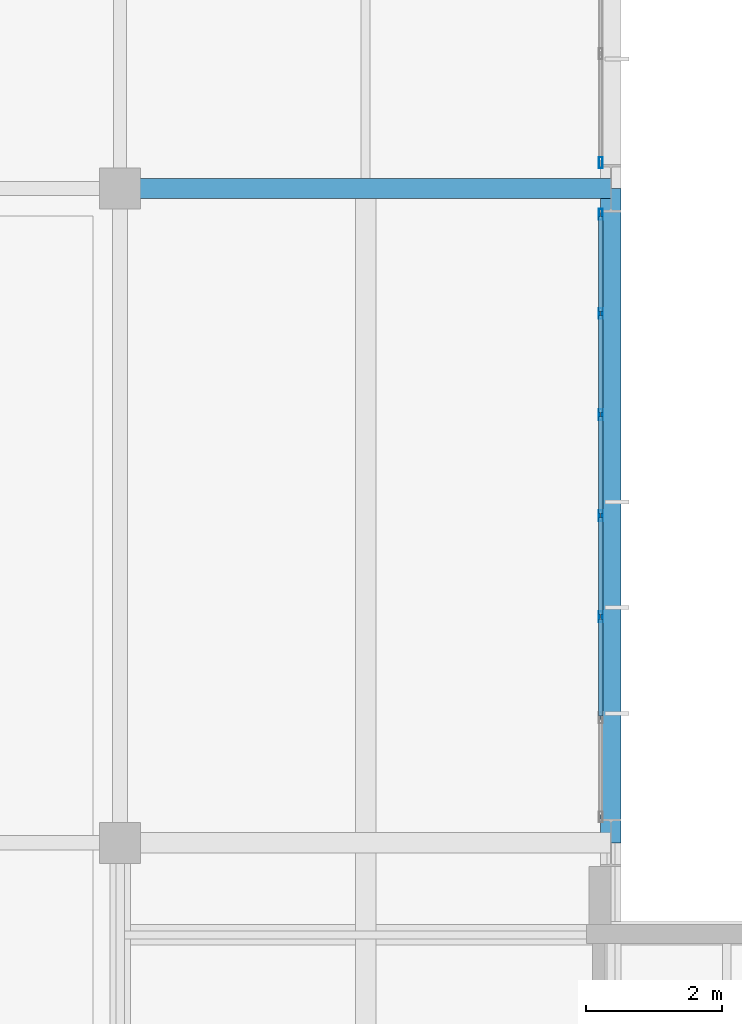
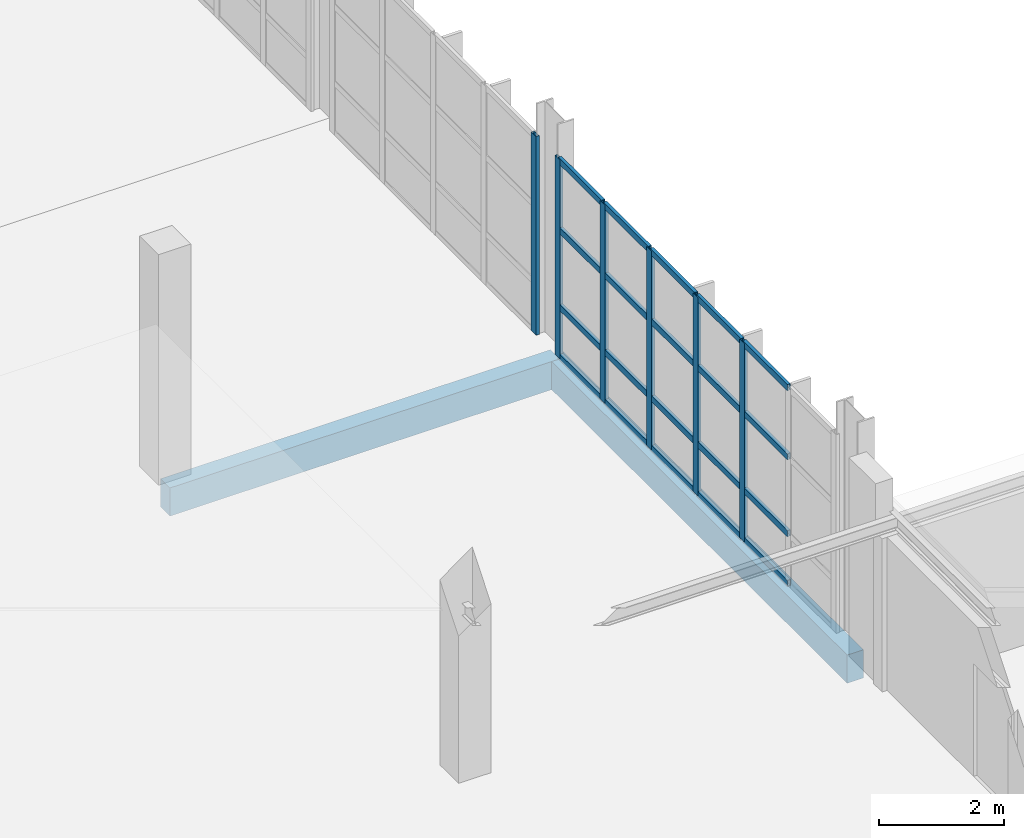
# One storey, part 70 of 113: 26 members, 2 beams, 2 elements without a shape of their own.
"""IFC4 building model written with IfcOpenShell, lengths in metres."""

from ifc_helpers import new_model, si_unit, direction, frame, origin, origin_2d, place, context, subcontext, project, spatial, rectangle, hollow_rectangle, extrude, material, material_profile, profile_set, type_object, element, aggregate, save


model = new_model("IFC4")

# Units and contexts
model_context = context("Model", 3, precision=1e-05, world=origin(), true_north=direction((0.0, 1.0)))
body_context = subcontext(model_context, "Body", "Model", "MODEL_VIEW")
ifc_project = project(units=[si_unit("LENGTHUNIT", "METRE"), si_unit("AREAUNIT", "SQUARE_METRE"), si_unit("VOLUMEUNIT", "CUBIC_METRE"), si_unit("PLANEANGLEUNIT", "RADIAN"), si_unit("MASSUNIT", "GRAM", prefix="KILO")], contexts=[model_context])

# Site, building, storey
site_placement = place(None, origin())
site = spatial("IfcSite", under=ifc_project, at=site_placement, CompositionType="ELEMENT")
building_placement = place(site_placement, origin())
building = spatial("IfcBuilding", under=site, at=building_placement, Name="Veltarok Museum of Natural Sciences", CompositionType="ELEMENT")
storey_placement = place(building_placement, frame((0.0, 0.0, 8.39990234375)))
storey = spatial("IfcBuildingStorey", under=building, at=storey_placement, Name="L01", CompositionType="ELEMENT", Elevation=8.39990234375)

# Curtain wall, members
ifc_material_1 = material(Name="Low-iron triple insulated glass", Category="glass")
curtain_wall_type_1 = type_object("IfcCurtainWallType", Name="Curtain Wall System CW-V5E-L01-B-890x388 (V5 East Lab L01 B-C 890x388cm)", PredefinedType="NOTDEFINED", material=ifc_material_1)
curtain_wall_1_placement = place(storey_placement, origin())
curtain_wall_1 = element("IfcCurtainWall", 1, at=curtain_wall_1_placement, inside=storey, type_object=curtain_wall_type_1, Name="Curtain Wall CW-V5E-L01-B-890x388 CW-0103", PredefinedType="NOTDEFINED")
ifc_material_2 = material(Name="Thermally broken anodised aluminium", Category="aluminium")
ifc_material_profile_1 = material_profile(ifc_material_2, hollow_rectangle(XDim=0.06005859375, YDim=0.1201171875, WallThickness=0.0048828125, at=origin_2d()), Name="CW TRANSOM 60x120x5")
ifc_profile_set_1 = profile_set([ifc_material_profile_1], Name="Thermally broken anodised aluminium")
member_type_1 = type_object("IfcMemberType", Name="Curtain Wall Horizontal Transom 60x120x5", PredefinedType="USERDEFINED", material=ifc_profile_set_1)
member_1_placement = place(storey_placement, frame((164.64990234375, 11.46337890625, 0.030029296875), z_axis=(0.0, 1.0, 0.0), x_axis=(-1.0, 0.0, 0.0)))
member_1 = element("IfcMember", 2, at=member_1_placement, type_object=member_type_1, Name="CW-V5E-L01-B-890x388 transom 2.1", ObjectType="TRANSOM", PredefinedType="USERDEFINED", context=body_context, shape_type="SweptSolid", body=[
    extrude(hollow_rectangle(XDim=0.06005859375, YDim=0.1201171875, WallThickness=0.0048828125, at=origin_2d()), origin(), (0.0, 0.0, 1.0), 1.42333984375),
])
member_2_placement = place(storey_placement, frame((164.64990234375, 11.46337890625, 1.0), z_axis=(0.0, 1.0, 0.0), x_axis=(-1.0, 0.0, 0.0)))
member_2 = element("IfcMember", 3, at=member_2_placement, type_object=member_type_1, Name="CW-V5E-L01-B-890x388 transom 2.2", ObjectType="TRANSOM", PredefinedType="USERDEFINED", context=body_context, shape_type="SweptSolid", body=[
    extrude(hollow_rectangle(XDim=0.06005859375, YDim=0.1201171875, WallThickness=0.0048828125, at=origin_2d()), origin(), (0.0, 0.0, 1.0), 1.42333984375),
])
member_3_placement = place(storey_placement, frame((164.64990234375, 11.46337890625, 2.5), z_axis=(0.0, 1.0, 0.0), x_axis=(-1.0, 0.0, 0.0)))
member_3 = element("IfcMember", 4, at=member_3_placement, type_object=member_type_1, Name="CW-V5E-L01-B-890x388 transom 2.3", ObjectType="TRANSOM", PredefinedType="USERDEFINED", context=body_context, shape_type="SweptSolid", body=[
    extrude(hollow_rectangle(XDim=0.06005859375, YDim=0.1201171875, WallThickness=0.0048828125, at=origin_2d()), origin(), (0.0, 0.0, 1.0), 1.42333984375),
])
member_4_placement = place(storey_placement, frame((164.64990234375, 11.46337890625, 3.85009765625), z_axis=(0.0, 1.0, 0.0), x_axis=(-1.0, 0.0, 0.0)))
member_4 = element("IfcMember", 5, at=member_4_placement, type_object=member_type_1, Name="CW-V5E-L01-B-890x388 transom 2.4", ObjectType="TRANSOM", PredefinedType="USERDEFINED", context=body_context, shape_type="SweptSolid", body=[
    extrude(hollow_rectangle(XDim=0.06005859375, YDim=0.1201171875, WallThickness=0.0048828125, at=origin_2d()), origin(), (0.0, 0.0, 1.0), 1.42333984375),
])
member_5_placement = place(storey_placement, frame((164.64990234375, 12.94677734375, 0.030029296875), z_axis=(0.0, 1.0, 0.0), x_axis=(-1.0, 0.0, 0.0)))
member_5 = element("IfcMember", 6, at=member_5_placement, type_object=member_type_1, Name="CW-V5E-L01-B-890x388 transom 3.1", ObjectType="TRANSOM", PredefinedType="USERDEFINED", context=body_context, shape_type="SweptSolid", body=[
    extrude(hollow_rectangle(XDim=0.06005859375, YDim=0.1201171875, WallThickness=0.0048828125, at=origin_2d()), origin(), (0.0, 0.0, 1.0), 1.42333984375),
])
member_6_placement = place(storey_placement, frame((164.64990234375, 12.94677734375, 1.0), z_axis=(0.0, 1.0, 0.0), x_axis=(-1.0, 0.0, 0.0)))
member_6 = element("IfcMember", 7, at=member_6_placement, type_object=member_type_1, Name="CW-V5E-L01-B-890x388 transom 3.2", ObjectType="TRANSOM", PredefinedType="USERDEFINED", context=body_context, shape_type="SweptSolid", body=[
    extrude(hollow_rectangle(XDim=0.06005859375, YDim=0.1201171875, WallThickness=0.0048828125, at=origin_2d()), origin(), (0.0, 0.0, 1.0), 1.42333984375),
])
member_7_placement = place(storey_placement, frame((164.64990234375, 12.94677734375, 2.5), z_axis=(0.0, 1.0, 0.0), x_axis=(-1.0, 0.0, 0.0)))
member_7 = element("IfcMember", 8, at=member_7_placement, type_object=member_type_1, Name="CW-V5E-L01-B-890x388 transom 3.3", ObjectType="TRANSOM", PredefinedType="USERDEFINED", context=body_context, shape_type="SweptSolid", body=[
    extrude(hollow_rectangle(XDim=0.06005859375, YDim=0.1201171875, WallThickness=0.0048828125, at=origin_2d()), origin(), (0.0, 0.0, 1.0), 1.42333984375),
])
member_8_placement = place(storey_placement, frame((164.64990234375, 12.94677734375, 3.85009765625), z_axis=(0.0, 1.0, 0.0), x_axis=(-1.0, 0.0, 0.0)))
member_8 = element("IfcMember", 9, at=member_8_placement, type_object=member_type_1, Name="CW-V5E-L01-B-890x388 transom 3.4", ObjectType="TRANSOM", PredefinedType="USERDEFINED", context=body_context, shape_type="SweptSolid", body=[
    extrude(hollow_rectangle(XDim=0.06005859375, YDim=0.1201171875, WallThickness=0.0048828125, at=origin_2d()), origin(), (0.0, 0.0, 1.0), 1.42333984375),
])
member_9_placement = place(storey_placement, frame((164.64990234375, 14.429931640625, 0.030029296875), z_axis=(0.0, 1.0, 0.0), x_axis=(-1.0, 0.0, 0.0)))
member_9 = element("IfcMember", 10, at=member_9_placement, type_object=member_type_1, Name="CW-V5E-L01-B-890x388 transom 4.1", ObjectType="TRANSOM", PredefinedType="USERDEFINED", context=body_context, shape_type="SweptSolid", body=[
    extrude(hollow_rectangle(XDim=0.06005859375, YDim=0.1201171875, WallThickness=0.0048828125, at=origin_2d()), origin(), (0.0, 0.0, 1.0), 1.42333984375),
])
member_10_placement = place(storey_placement, frame((164.64990234375, 14.429931640625, 1.0), z_axis=(0.0, 1.0, 0.0), x_axis=(-1.0, 0.0, 0.0)))
member_10 = element("IfcMember", 11, at=member_10_placement, type_object=member_type_1, Name="CW-V5E-L01-B-890x388 transom 4.2", ObjectType="TRANSOM", PredefinedType="USERDEFINED", context=body_context, shape_type="SweptSolid", body=[
    extrude(hollow_rectangle(XDim=0.06005859375, YDim=0.1201171875, WallThickness=0.0048828125, at=origin_2d()), origin(), (0.0, 0.0, 1.0), 1.42333984375),
])
member_11_placement = place(storey_placement, frame((164.64990234375, 14.429931640625, 2.5), z_axis=(0.0, 1.0, 0.0), x_axis=(-1.0, 0.0, 0.0)))
member_11 = element("IfcMember", 12, at=member_11_placement, type_object=member_type_1, Name="CW-V5E-L01-B-890x388 transom 4.3", ObjectType="TRANSOM", PredefinedType="USERDEFINED", context=body_context, shape_type="SweptSolid", body=[
    extrude(hollow_rectangle(XDim=0.06005859375, YDim=0.1201171875, WallThickness=0.0048828125, at=origin_2d()), origin(), (0.0, 0.0, 1.0), 1.42333984375),
])
member_12_placement = place(storey_placement, frame((164.64990234375, 14.429931640625, 3.85009765625), z_axis=(0.0, 1.0, 0.0), x_axis=(-1.0, 0.0, 0.0)))
member_12 = element("IfcMember", 13, at=member_12_placement, type_object=member_type_1, Name="CW-V5E-L01-B-890x388 transom 4.4", ObjectType="TRANSOM", PredefinedType="USERDEFINED", context=body_context, shape_type="SweptSolid", body=[
    extrude(hollow_rectangle(XDim=0.06005859375, YDim=0.1201171875, WallThickness=0.0048828125, at=origin_2d()), origin(), (0.0, 0.0, 1.0), 1.42333984375),
])
member_13_placement = place(storey_placement, frame((164.64990234375, 15.913330078125, 0.030029296875), z_axis=(0.0, 1.0, 0.0), x_axis=(-1.0, 0.0, 0.0)))
member_13 = element("IfcMember", 14, at=member_13_placement, type_object=member_type_1, Name="CW-V5E-L01-B-890x388 transom 5.1", ObjectType="TRANSOM", PredefinedType="USERDEFINED", context=body_context, shape_type="SweptSolid", body=[
    extrude(hollow_rectangle(XDim=0.06005859375, YDim=0.1201171875, WallThickness=0.0048828125, at=origin_2d()), origin(), (0.0, 0.0, 1.0), 1.42333984375),
])
member_14_placement = place(storey_placement, frame((164.64990234375, 15.913330078125, 1.0), z_axis=(0.0, 1.0, 0.0), x_axis=(-1.0, 0.0, 0.0)))
member_14 = element("IfcMember", 15, at=member_14_placement, type_object=member_type_1, Name="CW-V5E-L01-B-890x388 transom 5.2", ObjectType="TRANSOM", PredefinedType="USERDEFINED", context=body_context, shape_type="SweptSolid", body=[
    extrude(hollow_rectangle(XDim=0.06005859375, YDim=0.1201171875, WallThickness=0.0048828125, at=origin_2d()), origin(), (0.0, 0.0, 1.0), 1.42333984375),
])
member_15_placement = place(storey_placement, frame((164.64990234375, 15.913330078125, 2.5), z_axis=(0.0, 1.0, 0.0), x_axis=(-1.0, 0.0, 0.0)))
member_15 = element("IfcMember", 16, at=member_15_placement, type_object=member_type_1, Name="CW-V5E-L01-B-890x388 transom 5.3", ObjectType="TRANSOM", PredefinedType="USERDEFINED", context=body_context, shape_type="SweptSolid", body=[
    extrude(hollow_rectangle(XDim=0.06005859375, YDim=0.1201171875, WallThickness=0.0048828125, at=origin_2d()), origin(), (0.0, 0.0, 1.0), 1.42333984375),
])
member_16_placement = place(storey_placement, frame((164.64990234375, 15.913330078125, 3.85009765625), z_axis=(0.0, 1.0, 0.0), x_axis=(-1.0, 0.0, 0.0)))
member_16 = element("IfcMember", 17, at=member_16_placement, type_object=member_type_1, Name="CW-V5E-L01-B-890x388 transom 5.4", ObjectType="TRANSOM", PredefinedType="USERDEFINED", context=body_context, shape_type="SweptSolid", body=[
    extrude(hollow_rectangle(XDim=0.06005859375, YDim=0.1201171875, WallThickness=0.0048828125, at=origin_2d()), origin(), (0.0, 0.0, 1.0), 1.42333984375),
])
member_17_placement = place(storey_placement, frame((164.64990234375, 17.396728515625, 0.030029296875), z_axis=(0.0, 1.0, 0.0), x_axis=(-1.0, 0.0, 0.0)))
member_17 = element("IfcMember", 18, at=member_17_placement, type_object=member_type_1, Name="CW-V5E-L01-B-890x388 transom 6.1", ObjectType="TRANSOM", PredefinedType="USERDEFINED", context=body_context, shape_type="SweptSolid", body=[
    extrude(hollow_rectangle(XDim=0.06005859375, YDim=0.1201171875, WallThickness=0.0048828125, at=origin_2d()), origin(), (0.0, 0.0, 1.0), 1.393310546875),
])
member_18_placement = place(storey_placement, frame((164.64990234375, 17.396728515625, 1.0), z_axis=(0.0, 1.0, 0.0), x_axis=(-1.0, 0.0, 0.0)))
member_18 = element("IfcMember", 19, at=member_18_placement, type_object=member_type_1, Name="CW-V5E-L01-B-890x388 transom 6.2", ObjectType="TRANSOM", PredefinedType="USERDEFINED", context=body_context, shape_type="SweptSolid", body=[
    extrude(hollow_rectangle(XDim=0.06005859375, YDim=0.1201171875, WallThickness=0.0048828125, at=origin_2d()), origin(), (0.0, 0.0, 1.0), 1.393310546875),
])
member_19_placement = place(storey_placement, frame((164.64990234375, 17.396728515625, 2.5), z_axis=(0.0, 1.0, 0.0), x_axis=(-1.0, 0.0, 0.0)))
member_19 = element("IfcMember", 20, at=member_19_placement, type_object=member_type_1, Name="CW-V5E-L01-B-890x388 transom 6.3", ObjectType="TRANSOM", PredefinedType="USERDEFINED", context=body_context, shape_type="SweptSolid", body=[
    extrude(hollow_rectangle(XDim=0.06005859375, YDim=0.1201171875, WallThickness=0.0048828125, at=origin_2d()), origin(), (0.0, 0.0, 1.0), 1.393310546875),
])
member_20_placement = place(storey_placement, frame((164.64990234375, 17.396728515625, 3.85009765625), z_axis=(0.0, 1.0, 0.0), x_axis=(-1.0, 0.0, 0.0)))
member_20 = element("IfcMember", 21, at=member_20_placement, type_object=member_type_1, Name="CW-V5E-L01-B-890x388 transom 6.4", ObjectType="TRANSOM", PredefinedType="USERDEFINED", context=body_context, shape_type="SweptSolid", body=[
    extrude(hollow_rectangle(XDim=0.06005859375, YDim=0.1201171875, WallThickness=0.0048828125, at=origin_2d()), origin(), (0.0, 0.0, 1.0), 1.393310546875),
])
ifc_material_profile_2 = material_profile(ifc_material_2, hollow_rectangle(XDim=0.06005859375, YDim=0.159912109375, WallThickness=0.0048828125, at=origin_2d()), Name="CW MULLION 60x160x5")
ifc_profile_set_2 = profile_set([ifc_material_profile_2], Name="Thermally broken anodised aluminium")
member_type_2 = type_object("IfcMemberType", Name="Curtain Wall Vertical Mullion 60x160x5", PredefinedType="MULLION", material=ifc_profile_set_2)
member_21_placement = place(storey_placement, frame((164.64990234375, 12.916748046875, 0.0), z_axis=(0.0, 0.0, 1.0), x_axis=(-1.0, 0.0, 0.0)))
member_21 = element("IfcMember", 22, at=member_21_placement, type_object=member_type_2, Name="CW-V5E-L01-B-890x388 mullion 3", PredefinedType="MULLION", context=body_context, shape_type="SweptSolid", body=[
    extrude(hollow_rectangle(XDim=0.06005859375, YDim=0.159912109375, WallThickness=0.0048828125, at=origin_2d()), origin(), (0.0, 0.0, 1.0), 3.880126953125),
])
member_22_placement = place(storey_placement, frame((164.64990234375, 14.39990234375, 0.0), z_axis=(0.0, 0.0, 1.0), x_axis=(-1.0, 0.0, 0.0)))
member_22 = element("IfcMember", 23, at=member_22_placement, type_object=member_type_2, Name="CW-V5E-L01-B-890x388 mullion 4", PredefinedType="MULLION", context=body_context, shape_type="SweptSolid", body=[
    extrude(hollow_rectangle(XDim=0.06005859375, YDim=0.159912109375, WallThickness=0.0048828125, at=origin_2d()), origin(), (0.0, 0.0, 1.0), 3.880126953125),
])
member_23_placement = place(storey_placement, frame((164.64990234375, 15.88330078125, 0.0), z_axis=(0.0, 0.0, 1.0), x_axis=(-1.0, 0.0, 0.0)))
member_23 = element("IfcMember", 24, at=member_23_placement, type_object=member_type_2, Name="CW-V5E-L01-B-890x388 mullion 5", PredefinedType="MULLION", context=body_context, shape_type="SweptSolid", body=[
    extrude(hollow_rectangle(XDim=0.06005859375, YDim=0.159912109375, WallThickness=0.0048828125, at=origin_2d()), origin(), (0.0, 0.0, 1.0), 3.880126953125),
])
member_24_placement = place(storey_placement, frame((164.64990234375, 17.36669921875, 0.0), z_axis=(0.0, 0.0, 1.0), x_axis=(-1.0, 0.0, 0.0)))
member_24 = element("IfcMember", 25, at=member_24_placement, type_object=member_type_2, Name="CW-V5E-L01-B-890x388 mullion 6", PredefinedType="MULLION", context=body_context, shape_type="SweptSolid", body=[
    extrude(hollow_rectangle(XDim=0.06005859375, YDim=0.159912109375, WallThickness=0.0048828125, at=origin_2d()), origin(), (0.0, 0.0, 1.0), 3.880126953125),
])
member_25_placement = place(storey_placement, frame((164.64990234375, 18.820068359375, 0.0), z_axis=(0.0, 0.0, 1.0), x_axis=(-1.0, 0.0, 0.0)))
member_25 = element("IfcMember", 26, at=member_25_placement, type_object=member_type_2, Name="CW-V5E-L01-B-890x388 mullion 7", PredefinedType="MULLION", context=body_context, shape_type="SweptSolid", body=[
    extrude(hollow_rectangle(XDim=0.06005859375, YDim=0.159912109375, WallThickness=0.0048828125, at=origin_2d()), origin(), (0.0, 0.0, 1.0), 3.880126953125),
])
aggregate(curtain_wall_1, [member_21, member_22, member_23, member_24, member_25, member_1, member_2, member_3, member_4, member_5, member_6, member_7, member_8, member_9, member_10, member_11, member_12, member_13, member_14, member_15, member_16, member_17, member_18, member_19, member_20])

# Curtain wall, member
curtain_wall_type_2 = type_object("IfcCurtainWallType", Name="Curtain Wall System CW-V5E-L01-C-650x388 (V5 East Lab L01 C-D 650x388cm)", PredefinedType="NOTDEFINED", material=ifc_material_1)
curtain_wall_2_placement = place(storey_placement, origin())
curtain_wall_2 = element("IfcCurtainWall", 27, at=curtain_wall_2_placement, inside=storey, type_object=curtain_wall_type_2, Name="Curtain Wall CW-V5E-L01-C-650x388 CW-0104", PredefinedType="NOTDEFINED")
member_26_placement = place(storey_placement, frame((164.64990234375, 19.580078125, 0.0), z_axis=(0.0, 0.0, 1.0), x_axis=(-1.0, 0.0, 0.0)))
member_26 = element("IfcMember", 28, at=member_26_placement, type_object=member_type_2, Name="CW-V5E-L01-C-650x388 mullion 1", PredefinedType="MULLION", context=body_context, shape_type="SweptSolid", body=[
    extrude(hollow_rectangle(XDim=0.06005859375, YDim=0.159912109375, WallThickness=0.0048828125, at=origin_2d()), origin(), (0.0, 0.0, 1.0), 3.880126953125),
])
aggregate(curtain_wall_2, [member_26])

# Beams
ifc_material_3 = material(Name="Precast concrete C40/50", Category="concrete")
ifc_material_profile_3 = material_profile(ifc_material_3, rectangle(XDim=0.300048828125, YDim=0.550048828125, at=origin_2d()), Name="RC 300x550")
ifc_profile_set_3 = profile_set([ifc_material_profile_3], Name="Precast concrete C40/50")
beam_type = type_object("IfcBeamType", Name="East Wing Precast Spandrel RC 300x550", PredefinedType="SPANDREL", material=ifc_profile_set_3)
beam_1_placement = place(storey_placement, frame((157.60009765625, 19.199951171875, -0.52490234375), z_axis=(1.0, 0.0, 0.0), x_axis=(0.0, 1.0, 0.0)))
element("IfcBeam", 29, at=beam_1_placement, inside=storey, type_object=beam_type, Name="Beam BM-SP02 L01 19-20/C", PredefinedType="SPANDREL", context=body_context, shape_type="SweptSolid", body=[
    extrude(rectangle(XDim=0.300048828125, YDim=0.550048828125, at=origin_2d()), origin(), (0.0, 0.0, 1.0), 7.199951171875),
])
beam_2_placement = place(storey_placement, frame((164.800048828125, 9.60009765625, -0.52490234375), z_axis=(0.0, 1.0, 0.0), x_axis=(-1.0, 0.0, 0.0)))
element("IfcBeam", 30, at=beam_2_placement, inside=storey, type_object=beam_type, Name="Beam BM-SP02 L01 20/B-C", PredefinedType="SPANDREL", context=body_context, shape_type="SweptSolid", body=[
    extrude(rectangle(XDim=0.300048828125, YDim=0.550048828125, at=origin_2d()), origin(), (0.0, 0.0, 1.0), 9.599853515625),
])

save(model, "model.ifc")
